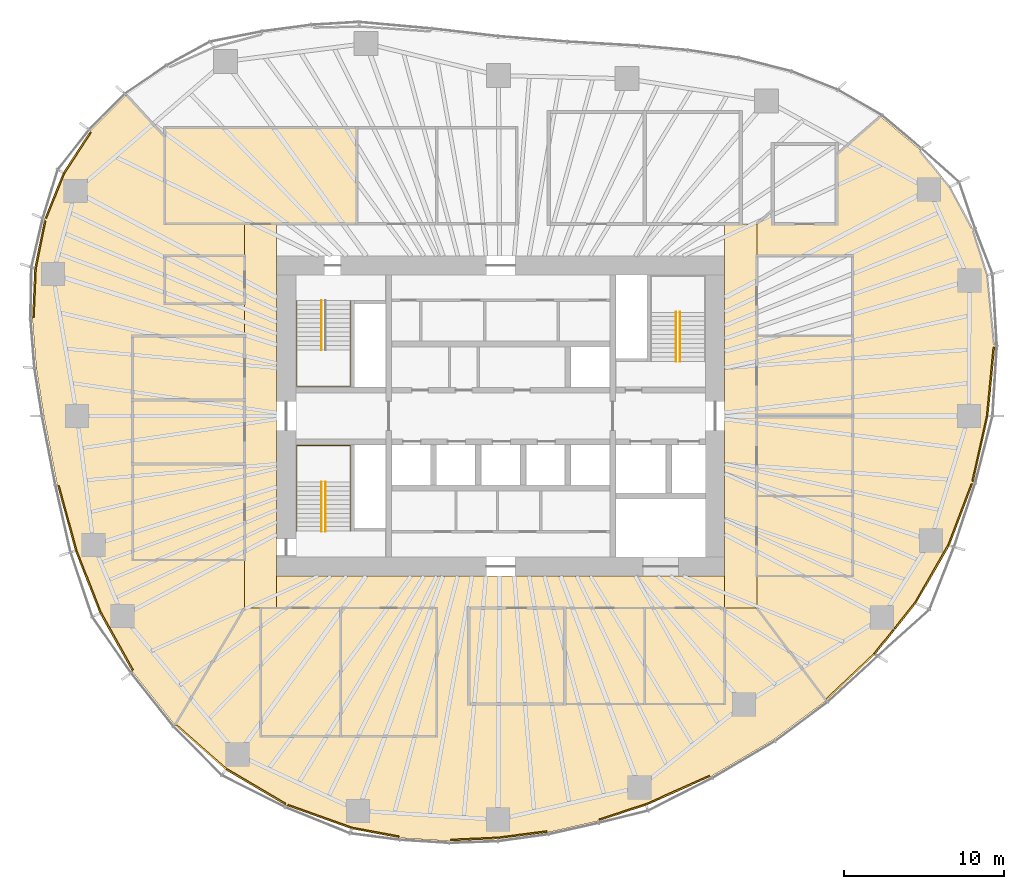
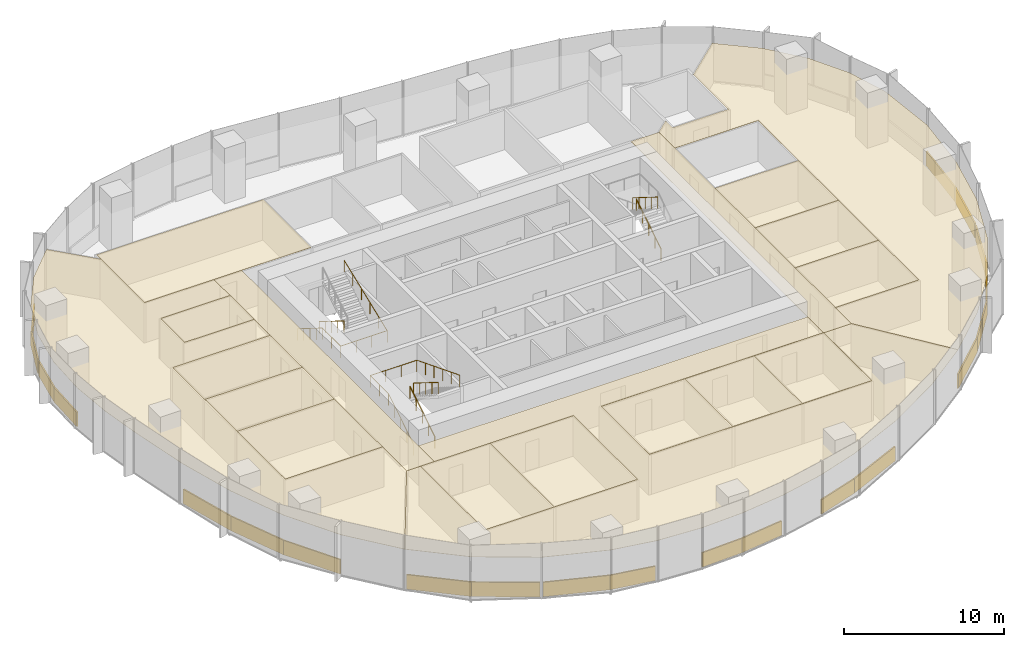
# One storey, part 17 of 18: 40 coverings, 7 railings.
"""IFC4 building model written with IfcOpenShell, lengths in metres."""

from ifc_helpers import new_model, si_unit, direction, frame, origin, origin_2d, place, context, subcontext, project, spatial, polyline, rectangle, circle, outline, extrude, material, layer, layer_set, type_object, element, save


model = new_model("IFC4")

# Units and contexts
model_context = context("Model", 3, precision=1e-05, world=origin(), true_north=direction((0.0, 1.0)))
body_context = subcontext(model_context, "Body", "Model", "MODEL_VIEW")
ifc_project = project(units=[si_unit("LENGTHUNIT", "METRE"), si_unit("AREAUNIT", "SQUARE_METRE"), si_unit("VOLUMEUNIT", "CUBIC_METRE"), si_unit("PLANEANGLEUNIT", "RADIAN"), si_unit("MASSUNIT", "GRAM", prefix="KILO")], contexts=[model_context])

# Site, building, storey
site_placement = place(None, origin())
site = spatial("IfcSite", under=ifc_project, at=site_placement, CompositionType="ELEMENT")
building_placement = place(site_placement, origin())
building = spatial("IfcBuilding", under=site, at=building_placement, Name="Ghaith Harvest Tower", CompositionType="ELEMENT")
storey_placement = place(building_placement, frame((0.0, 0.0, 126.0)))
storey = spatial("IfcBuildingStorey", under=building, at=storey_placement, Name="L26", CompositionType="ELEMENT", Elevation=126.0)

# Coverings
ifc_material_1 = material(Name="Mineral fibre ceiling tile", Category="gypsum")
ifc_layer_1 = layer(ifc_material_1, 0.02001953125)
ifc_layer_set_1 = layer_set([ifc_layer_1], Name="CEILING C1")
covering_type_1 = type_object("IfcCoveringType", Name="CEILING C1", PredefinedType="CEILING", material=ifc_layer_set_1)
covering_1_placement = place(storey_placement, frame((0.0, 0.0, 3.0)))
element("IfcCovering", 1, at=covering_1_placement, inside=storey, type_object=covering_type_1, Name="Ceiling L26-01", PredefinedType="CEILING", context=body_context, shape_type="SweptSolid", body=[
    extrude(outline(polyline([(-21.0, 12.0), (-9.0, 12.0), (-9.0, 18.0), (-21.0, 18.0), (-21.0, 12.0)])), origin(), (0.0, 0.0, 1.0), 0.02001953125),
])
covering_2_placement = place(storey_placement, frame((0.0, 0.0, 3.0)))
element("IfcCovering", 2, at=covering_2_placement, inside=storey, type_object=covering_type_1, Name="Ceiling L26-06", PredefinedType="CEILING", context=body_context, shape_type="SweptSolid", body=[
    extrude(outline(polyline([(16.0, -10.0), (22.0, -10.0), (22.0, -5.0), (16.0, -5.0), (16.0, -10.0)])), origin(), (0.0, 0.0, 1.0), 0.02001953125),
])
covering_3_placement = place(storey_placement, frame((0.0, 0.0, 3.0)))
element("IfcCovering", 3, at=covering_3_placement, inside=storey, type_object=covering_type_1, Name="Ceiling L26-07", PredefinedType="CEILING", context=body_context, shape_type="SweptSolid", body=[
    extrude(outline(polyline([(16.0, -5.0), (22.0, -5.0), (22.0, 0.0), (16.0, 0.0), (16.0, -5.0)])), origin(), (0.0, 0.0, 1.0), 0.02001953125),
])
covering_4_placement = place(storey_placement, frame((0.0, 0.0, 3.0)))
element("IfcCovering", 4, at=covering_4_placement, inside=storey, type_object=covering_type_1, Name="Ceiling L26-08", PredefinedType="CEILING", context=body_context, shape_type="SweptSolid", body=[
    extrude(outline(polyline([(16.0, 0.0), (22.0, 0.0), (22.0, 5.0), (16.0, 5.0), (16.0, 0.0)])), origin(), (0.0, 0.0, 1.0), 0.02001953125),
])
covering_5_placement = place(storey_placement, frame((0.0, 0.0, 3.0)))
element("IfcCovering", 5, at=covering_5_placement, inside=storey, type_object=covering_type_1, Name="Ceiling L26-10", PredefinedType="CEILING", context=body_context, shape_type="SweptSolid", body=[
    extrude(outline(polyline([(-15.0, -20.0), (-10.0, -20.0), (-10.0, -12.0), (-15.0, -12.0), (-15.0, -20.0)])), origin(), (0.0, 0.0, 1.0), 0.02001953125),
])
covering_6_placement = place(storey_placement, frame((0.0, 0.0, 3.0)))
element("IfcCovering", 6, at=covering_6_placement, inside=storey, type_object=covering_type_1, Name="Ceiling L26-11", PredefinedType="CEILING", context=body_context, shape_type="SweptSolid", body=[
    extrude(outline(polyline([(-10.0, -20.0), (-4.0, -20.0), (-4.0, -12.0), (-10.0, -12.0), (-10.0, -20.0)])), origin(), (0.0, 0.0, 1.0), 0.02001953125),
])
covering_7_placement = place(storey_placement, frame((0.0, 0.0, 3.0)))
element("IfcCovering", 7, at=covering_7_placement, inside=storey, type_object=covering_type_1, Name="Ceiling L26-12", PredefinedType="CEILING", context=body_context, shape_type="SweptSolid", body=[
    extrude(outline(polyline([(-2.0, -18.0), (4.0, -18.0), (4.0, -12.0), (-2.0, -12.0), (-2.0, -18.0)])), origin(), (0.0, 0.0, 1.0), 0.02001953125),
])
covering_8_placement = place(storey_placement, frame((0.0, 0.0, 3.0)))
element("IfcCovering", 8, at=covering_8_placement, inside=storey, type_object=covering_type_1, Name="Ceiling L26-13", PredefinedType="CEILING", context=body_context, shape_type="SweptSolid", body=[
    extrude(outline(polyline([(4.0, -18.0), (9.0, -18.0), (9.0, -12.0), (4.0, -12.0), (4.0, -18.0)])), origin(), (0.0, 0.0, 1.0), 0.02001953125),
])
covering_9_placement = place(storey_placement, frame((0.0, 0.0, 3.0)))
element("IfcCovering", 9, at=covering_9_placement, inside=storey, type_object=covering_type_1, Name="Ceiling L26-14", PredefinedType="CEILING", context=body_context, shape_type="SweptSolid", body=[
    extrude(outline(polyline([(9.0, -18.0), (14.0, -18.0), (14.0, -12.0), (9.0, -12.0), (9.0, -18.0)])), origin(), (0.0, 0.0, 1.0), 0.02001953125),
])
covering_10_placement = place(storey_placement, frame((0.0, 0.0, 3.0)))
element("IfcCovering", 10, at=covering_10_placement, inside=storey, type_object=covering_type_1, Name="Ceiling L26-15", PredefinedType="CEILING", context=body_context, shape_type="SweptSolid", body=[
    extrude(outline(polyline([(-23.0, -9.0), (-16.0, -9.0), (-16.0, -3.0), (-23.0, -3.0), (-23.0, -9.0)])), origin(), (0.0, 0.0, 1.0), 0.02001953125),
])
covering_11_placement = place(storey_placement, frame((0.0, 0.0, 3.0)))
element("IfcCovering", 11, at=covering_11_placement, inside=storey, type_object=covering_type_1, Name="Ceiling L26-16", PredefinedType="CEILING", context=body_context, shape_type="SweptSolid", body=[
    extrude(outline(polyline([(-23.0, -3.0), (-16.0, -3.0), (-16.0, 1.0), (-23.0, 1.0), (-23.0, -3.0)])), origin(), (0.0, 0.0, 1.0), 0.02001953125),
])
covering_12_placement = place(storey_placement, frame((0.0, 0.0, 3.0)))
element("IfcCovering", 12, at=covering_12_placement, inside=storey, type_object=covering_type_1, Name="Ceiling L26-17", PredefinedType="CEILING", context=body_context, shape_type="SweptSolid", body=[
    extrude(outline(polyline([(-23.0, 1.0), (-16.0, 1.0), (-16.0, 5.0), (-23.0, 5.0), (-23.0, 1.0)])), origin(), (0.0, 0.0, 1.0), 0.02001953125),
])
covering_13_placement = place(storey_placement, frame((0.0, 0.0, 3.0)))
element("IfcCovering", 13, at=covering_13_placement, inside=storey, type_object=covering_type_1, Name="Ceiling L26-19", PredefinedType="CEILING", context=body_context, shape_type="SweptSolid", body=[
    extrude(outline(polyline([(-21.0, 7.0), (-16.0, 7.0), (-16.0, 10.0), (-21.0, 10.0), (-21.0, 7.0)])), origin(), (0.0, 0.0, 1.0), 0.02001953125),
])
covering_14_placement = place(storey_placement, frame((0.0, 0.0, 3.0)))
element("IfcCovering", 14, at=covering_14_placement, inside=storey, type_object=covering_type_1, Name="Ceiling L26-C1", PredefinedType="CEILING", context=body_context, shape_type="SweptSolid", body=[
    extrude(outline(polyline([(14.0, -12.0), (14.0, 12.0), (16.0, 12.0), (16.0, -12.0), (14.0, -12.0)])), origin(), (0.0, 0.0, 1.0), 0.02001953125),
])
covering_15_placement = place(storey_placement, frame((0.0, 0.0, 3.0)))
element("IfcCovering", 15, at=covering_15_placement, inside=storey, type_object=covering_type_1, Name="Ceiling L26-C2", PredefinedType="CEILING", context=body_context, shape_type="SweptSolid", body=[
    extrude(outline(polyline([(-14.0, 12.0), (-14.0, -12.0), (-16.0, -12.0), (-16.0, 12.0), (-14.0, 12.0)])), origin(), (0.0, 0.0, 1.0), 0.02001953125),
])
covering_16_placement = place(storey_placement, frame((0.0, 0.0, 3.0)))
element("IfcCovering", 16, at=covering_16_placement, inside=storey, type_object=covering_type_1, Name="Ceiling L26-E1", PredefinedType="CEILING", context=body_context, shape_type="SweptSolid", body=[
    extrude(outline(polyline([(26.179443359375, 16.660888671875), (28.0888671875, 14.32568359375), (29.52294921875, 11.671875), (30.439208984375, 8.797607421875), (30.8798828125, 4.373046875), (30.458740234375, 0.0), (29.527099609375, -4.181396484375), (28.03125, -8.1015625), (25.94775390625, -11.714111328125), (23.400390625, -14.89208984375), (20.33935546875, -17.784912109375), (16.0, -12.0), (16.0, -10.0), (22.0, -10.0), (22.0, 10.0), (16.0, 10.0), (16.0, 12.0), (17.0, 12.869384765625), (17.0, 12.0), (21.0, 12.0), (21.0, 16.3466796875), (23.7275390625, 18.718017578125), (26.179443359375, 16.660888671875)])), origin(), (0.0, 0.0, 1.0), 0.02001953125),
])
covering_17_placement = place(storey_placement, frame((0.0, 0.0, 3.0)))
element("IfcCovering", 17, at=covering_17_placement, inside=storey, type_object=covering_type_1, Name="Ceiling L26-S1", PredefinedType="CEILING", context=body_context, shape_type="SweptSolid", body=[
    extrude(outline(polyline([(13.163818359375, -22.510498046875), (9.09423828125, -24.326904296875), (6.09228515625, -25.308837890625), (2.99609375, -26.010009765625), (-0.180908203125, -26.423583984375), (-3.204833984375, -26.556884765625), (-6.2666015625, -26.366455078125), (-9.317138671875, -25.79638671875), (-13.4052734375, -24.33740234375), (-17.1728515625, -22.11181640625), (-20.35400390625, -19.31396484375), (-16.0, -12.0), (-15.0, -12.0), (-15.0, -20.0), (-4.0, -20.0), (-4.0, -12.0), (-14.0, -12.0), (-14.0, -10.0), (14.0, -10.0), (14.0, -11.989990234375), (-2.010009765625, -11.989990234375), (-2.010009765625, -18.010009765625), (14.010009765625, -18.010009765625), (14.010009765625, -12.0), (16.0, -12.0), (20.33935546875, -17.784912109375), (17.054443359375, -20.22412109375), (13.163818359375, -22.510498046875)])), origin(), (0.0, 0.0, 1.0), 0.02001953125),
])
covering_18_placement = place(storey_placement, frame((0.0, 0.0, 3.0)))
element("IfcCovering", 18, at=covering_18_placement, inside=storey, type_object=covering_type_1, Name="Ceiling L26-W1", PredefinedType="CEILING", context=body_context, shape_type="SweptSolid", body=[
    extrude(outline(polyline([(-28.541259765625, 0.0), (-29.01171875, 2.978271484375), (-29.260498046875, 6.07177734375), (-29.12646484375, 9.230712890625), (-28.506591796875, 12.29638671875), (-27.33837890625, 15.204833984375), (-25.61962890625, 17.826416015625), (-23.398193359375, 20.06103515625), (-21.0, 17.447998046875), (-21.0, 12.0), (-16.0, 12.0), (-16.0, 10.0), (-21.0, 10.0), (-21.0, 7.0), (-16.0, 7.0), (-16.0, 5.0), (-23.0, 5.0), (-23.0, -9.0), (-16.0, -9.0), (-16.0, -12.0), (-20.35400390625, -19.31396484375), (-22.99169921875, -15.997802734375), (-25.046875, -12.32861328125), (-26.580078125, -8.423583984375), (-27.70947265625, -4.285888671875), (-28.541259765625, 0.0)])), origin(), (0.0, 0.0, 1.0), 0.02001953125),
])

# Railings
ifc_material_2 = material(Name="Steel, black powder-coated", Category="steel")
railing_type = type_object("IfcRailingType", Name="HANDRAIL HR1", PredefinedType="HANDRAIL", material=ifc_material_2)
railing_1_placement = place(storey_placement, frame((-11.199951171875, 7.199951171875, 0.175048828125)))
element("IfcRailing", 19, at=railing_1_placement, inside=storey, type_object=railing_type, Name="Handrail HR1 stair ST1 L26 flight 1 inner", PredefinedType="HANDRAIL", context=body_context, shape_type="SweptSolid", body=[
    extrude(circle(Radius=0.02392578125, at=origin_2d()), frame((0.0, 0.0, 0.8759765625), z_axis=(0.0, -0.847979421464, 0.530029150871), x_axis=(1.0, 0.0, 0.0)), (0.0, 0.0, 1.0), 3.632080078125),
    extrude(circle(Radius=0.02099609375, at=origin_2d()), origin(), (0.0, 0.0, 1.0), 0.851806640625),
    extrude(circle(Radius=0.02099609375, at=origin_2d()), frame((0.0, -0.77001953125, 0.481201171875)), (0.0, 0.0, 1.0), 0.851806640625),
    extrude(circle(Radius=0.02099609375, at=origin_2d()), frame((0.0, -1.5400390625, 0.96240234375)), (0.0, 0.0, 1.0), 0.851806640625),
    extrude(circle(Radius=0.02099609375, at=origin_2d()), frame((0.0, -2.309814453125, 1.44384765625)), (0.0, 0.0, 1.0), 0.851806640625),
    extrude(circle(Radius=0.02099609375, at=origin_2d()), frame((0.0, -3.079833984375, 1.925048828125)), (0.0, 0.0, 1.0), 0.851806640625),
])
railing_2_placement = place(storey_placement, frame((-12.75, 7.199951171875, 0.175048828125)))
element("IfcRailing", 20, at=railing_2_placement, inside=storey, type_object=railing_type, Name="Handrail HR1 stair ST1 L26 wall side", PredefinedType="HANDRAIL", context=body_context, shape_type="SweptSolid", body=[
    extrude(circle(Radius=0.02392578125, at=origin_2d()), frame((0.0, 0.0, 0.8759765625), z_axis=(0.0, -0.847979421464, 0.530029150871), x_axis=(1.0, 0.0, 0.0)), (0.0, 0.0, 1.0), 3.632080078125),
    extrude(circle(Radius=0.02392578125, at=origin_2d()), frame((0.0, -3.079833984375, 2.80078125), z_axis=(0.0, -1.0, 0.0), x_axis=(1.0, 0.0, 0.0)), (0.0, 0.0, 1.0), 2.27001953125),
    extrude(circle(Radius=0.02392578125, at=origin_2d()), frame((0.0, -5.349853515625, 2.80078125), z_axis=(1.0, 0.0, 0.0), x_axis=(0.0, 1.0, 0.0)), (0.0, 0.0, 1.0), 3.35009765625),
    extrude(circle(Radius=0.02392578125, at=origin_2d()), frame((3.35009765625, -5.349853515625, 2.80078125), z_axis=(0.0, 0.930862461605, 0.365369781968), x_axis=(-1.0, 0.0, 0.0)), (0.0, 0.0, 1.0), 5.747314453125),
    extrude(circle(Radius=0.02099609375, at=origin_2d()), origin(), (0.0, 0.0, 1.0), 0.851806640625),
    extrude(circle(Radius=0.02099609375, at=origin_2d()), frame((0.0, -0.77001953125, 0.481201171875)), (0.0, 0.0, 1.0), 0.851806640625),
    extrude(circle(Radius=0.02099609375, at=origin_2d()), frame((0.0, -1.5400390625, 0.96240234375)), (0.0, 0.0, 1.0), 0.851806640625),
    extrude(circle(Radius=0.02099609375, at=origin_2d()), frame((0.0, -2.309814453125, 1.44384765625)), (0.0, 0.0, 1.0), 0.851806640625),
    extrude(circle(Radius=0.02099609375, at=origin_2d()), frame((0.0, -3.079833984375, 1.925048828125)), (0.0, 0.0, 1.0), 0.851806640625),
    extrude(circle(Radius=0.02099609375, at=origin_2d()), frame((0.0, -4.21484375, 1.925048828125)), (0.0, 0.0, 1.0), 0.851806640625),
    extrude(circle(Radius=0.02099609375, at=origin_2d()), frame((0.0, -5.349853515625, 1.925048828125)), (0.0, 0.0, 1.0), 0.851806640625),
    extrude(circle(Radius=0.02099609375, at=origin_2d()), frame((1.11669921875, -5.349853515625, 1.925048828125)), (0.0, 0.0, 1.0), 0.851806640625),
    extrude(circle(Radius=0.02099609375, at=origin_2d()), frame((2.2333984375, -5.349853515625, 1.925048828125)), (0.0, 0.0, 1.0), 0.851806640625),
    extrude(circle(Radius=0.02099609375, at=origin_2d()), frame((3.35009765625, -5.349853515625, 1.925048828125)), (0.0, 0.0, 1.0), 0.851806640625),
    extrude(circle(Radius=0.02099609375, at=origin_2d()), frame((3.35009765625, -4.27978515625, 2.344970703125)), (0.0, 0.0, 1.0), 0.851806640625),
    extrude(circle(Radius=0.02099609375, at=origin_2d()), frame((3.35009765625, -3.2099609375, 2.764892578125)), (0.0, 0.0, 1.0), 0.851806640625),
    extrude(circle(Radius=0.02099609375, at=origin_2d()), frame((3.35009765625, -2.139892578125, 3.18505859375)), (0.0, 0.0, 1.0), 0.851806640625),
    extrude(circle(Radius=0.02099609375, at=origin_2d()), frame((3.35009765625, -1.070068359375, 3.60498046875)), (0.0, 0.0, 1.0), 0.851806640625),
    extrude(circle(Radius=0.02099609375, at=origin_2d()), frame((3.35009765625, 0.0, 4.02490234375)), (0.0, 0.0, 1.0), 0.851806640625),
])
railing_3_placement = place(storey_placement, frame((-11.199951171875, -7.199951171875, 0.175048828125)))
element("IfcRailing", 21, at=railing_3_placement, inside=storey, type_object=railing_type, Name="Handrail HR1 stair ST3 L26 flight 1 inner", PredefinedType="HANDRAIL", context=body_context, shape_type="SweptSolid", body=[
    extrude(circle(Radius=0.02392578125, at=origin_2d()), frame((0.0, 0.0, 0.8759765625), z_axis=(0.0, 0.847979421464, 0.530029150871), x_axis=(-1.0, 0.0, 0.0)), (0.0, 0.0, 1.0), 3.632080078125),
    extrude(circle(Radius=0.02099609375, at=origin_2d()), origin(), (0.0, 0.0, 1.0), 0.851806640625),
    extrude(circle(Radius=0.02099609375, at=origin_2d()), frame((0.0, 0.77001953125, 0.481201171875)), (0.0, 0.0, 1.0), 0.851806640625),
    extrude(circle(Radius=0.02099609375, at=origin_2d()), frame((0.0, 1.5400390625, 0.96240234375)), (0.0, 0.0, 1.0), 0.851806640625),
    extrude(circle(Radius=0.02099609375, at=origin_2d()), frame((0.0, 2.309814453125, 1.44384765625)), (0.0, 0.0, 1.0), 0.851806640625),
    extrude(circle(Radius=0.02099609375, at=origin_2d()), frame((0.0, 3.079833984375, 1.925048828125)), (0.0, 0.0, 1.0), 0.851806640625),
])
railing_4_placement = place(storey_placement, frame((-10.949951171875, -4.1201171875, 2.27490234375)))
element("IfcRailing", 22, at=railing_4_placement, inside=storey, type_object=railing_type, Name="Handrail HR1 stair ST3 L26 flight 2 inner", PredefinedType="HANDRAIL", context=body_context, shape_type="SweptSolid", body=[
    extrude(circle(Radius=0.02392578125, at=origin_2d()), frame((0.0, 0.0, 0.8759765625), z_axis=(0.0, -0.847979421464, 0.530029150871), x_axis=(1.0, 0.0, 0.0)), (0.0, 0.0, 1.0), 3.632080078125),
    extrude(circle(Radius=0.02099609375, at=origin_2d()), origin(), (0.0, 0.0, 1.0), 0.851806640625),
    extrude(circle(Radius=0.02099609375, at=origin_2d()), frame((0.0, -0.77001953125, 0.481201171875)), (0.0, 0.0, 1.0), 0.851806640625),
    extrude(circle(Radius=0.02099609375, at=origin_2d()), frame((0.0, -1.5400390625, 0.96240234375)), (0.0, 0.0, 1.0), 0.851806640625),
    extrude(circle(Radius=0.02099609375, at=origin_2d()), frame((0.0, -2.309814453125, 1.44384765625)), (0.0, 0.0, 1.0), 0.851806640625),
    extrude(circle(Radius=0.02099609375, at=origin_2d()), frame((0.0, -3.079833984375, 1.925048828125)), (0.0, 0.0, 1.0), 0.851806640625),
])
railing_5_placement = place(storey_placement, frame((-12.75, -7.199951171875, 0.175048828125)))
element("IfcRailing", 23, at=railing_5_placement, inside=storey, type_object=railing_type, Name="Handrail HR1 stair ST3 L26 wall side", PredefinedType="HANDRAIL", context=body_context, shape_type="SweptSolid", body=[
    extrude(circle(Radius=0.02392578125, at=origin_2d()), frame((0.0, 0.0, 0.8759765625), z_axis=(0.0, 0.847979421464, 0.530029150871), x_axis=(-1.0, 0.0, 0.0)), (0.0, 0.0, 1.0), 3.632080078125),
    extrude(circle(Radius=0.02392578125, at=origin_2d()), frame((0.0, 3.079833984375, 2.80078125), z_axis=(0.0, 1.0, 0.0), x_axis=(-1.0, 0.0, 0.0)), (0.0, 0.0, 1.0), 2.27001953125),
    extrude(circle(Radius=0.02392578125, at=origin_2d()), frame((0.0, 5.349853515625, 2.80078125), z_axis=(1.0, 0.0, 0.0), x_axis=(0.0, 1.0, 0.0)), (0.0, 0.0, 1.0), 3.35009765625),
    extrude(circle(Radius=0.02392578125, at=origin_2d()), frame((3.35009765625, 5.349853515625, 2.80078125), z_axis=(0.0, -0.930862461605, 0.365369781968), x_axis=(1.0, 0.0, 0.0)), (0.0, 0.0, 1.0), 5.747314453125),
    extrude(circle(Radius=0.02099609375, at=origin_2d()), origin(), (0.0, 0.0, 1.0), 0.851806640625),
    extrude(circle(Radius=0.02099609375, at=origin_2d()), frame((0.0, 0.77001953125, 0.481201171875)), (0.0, 0.0, 1.0), 0.851806640625),
    extrude(circle(Radius=0.02099609375, at=origin_2d()), frame((0.0, 1.5400390625, 0.96240234375)), (0.0, 0.0, 1.0), 0.851806640625),
    extrude(circle(Radius=0.02099609375, at=origin_2d()), frame((0.0, 2.309814453125, 1.44384765625)), (0.0, 0.0, 1.0), 0.851806640625),
    extrude(circle(Radius=0.02099609375, at=origin_2d()), frame((0.0, 3.079833984375, 1.925048828125)), (0.0, 0.0, 1.0), 0.851806640625),
    extrude(circle(Radius=0.02099609375, at=origin_2d()), frame((0.0, 4.21484375, 1.925048828125)), (0.0, 0.0, 1.0), 0.851806640625),
    extrude(circle(Radius=0.02099609375, at=origin_2d()), frame((0.0, 5.349853515625, 1.925048828125)), (0.0, 0.0, 1.0), 0.851806640625),
    extrude(circle(Radius=0.02099609375, at=origin_2d()), frame((1.11669921875, 5.349853515625, 1.925048828125)), (0.0, 0.0, 1.0), 0.851806640625),
    extrude(circle(Radius=0.02099609375, at=origin_2d()), frame((2.2333984375, 5.349853515625, 1.925048828125)), (0.0, 0.0, 1.0), 0.851806640625),
    extrude(circle(Radius=0.02099609375, at=origin_2d()), frame((3.35009765625, 5.349853515625, 1.925048828125)), (0.0, 0.0, 1.0), 0.851806640625),
    extrude(circle(Radius=0.02099609375, at=origin_2d()), frame((3.35009765625, 4.27978515625, 2.344970703125)), (0.0, 0.0, 1.0), 0.851806640625),
    extrude(circle(Radius=0.02099609375, at=origin_2d()), frame((3.35009765625, 3.2099609375, 2.764892578125)), (0.0, 0.0, 1.0), 0.851806640625),
    extrude(circle(Radius=0.02099609375, at=origin_2d()), frame((3.35009765625, 2.139892578125, 3.18505859375)), (0.0, 0.0, 1.0), 0.851806640625),
    extrude(circle(Radius=0.02099609375, at=origin_2d()), frame((3.35009765625, 1.070068359375, 3.60498046875)), (0.0, 0.0, 1.0), 0.851806640625),
    extrude(circle(Radius=0.02099609375, at=origin_2d()), frame((3.35009765625, 0.0, 4.02490234375)), (0.0, 0.0, 1.0), 0.851806640625),
])
railing_6_placement = place(storey_placement, frame((11.199951171875, 3.39990234375, 0.175048828125)))
element("IfcRailing", 24, at=railing_6_placement, inside=storey, type_object=railing_type, Name="Handrail HR1 stair ST2 L26 flight 1 inner", PredefinedType="HANDRAIL", context=body_context, shape_type="SweptSolid", body=[
    extrude(circle(Radius=0.02392578125, at=origin_2d()), frame((0.0, 0.0, 0.8759765625), z_axis=(0.0, 0.847998304005, 0.529998940003), x_axis=(-1.0, 0.0, 0.0)), (0.0, 0.0, 1.0), 3.632080078125),
    extrude(circle(Radius=0.02099609375, at=origin_2d()), origin(), (0.0, 0.0, 1.0), 0.851806640625),
    extrude(circle(Radius=0.02099609375, at=origin_2d()), frame((0.0, 0.77001953125, 0.481201171875)), (0.0, 0.0, 1.0), 0.851806640625),
    extrude(circle(Radius=0.02099609375, at=origin_2d()), frame((0.0, 1.5400390625, 0.96240234375)), (0.0, 0.0, 1.0), 0.851806640625),
    extrude(circle(Radius=0.02099609375, at=origin_2d()), frame((0.0, 2.31005859375, 1.44384765625)), (0.0, 0.0, 1.0), 0.851806640625),
    extrude(circle(Radius=0.02099609375, at=origin_2d()), frame((0.0, 3.080078125, 1.925048828125)), (0.0, 0.0, 1.0), 0.851806640625),
])
railing_7_placement = place(storey_placement, frame((10.949951171875, 6.47998046875, 2.27490234375)))
element("IfcRailing", 25, at=railing_7_placement, inside=storey, type_object=railing_type, Name="Handrail HR1 stair ST2 L26 flight 2 inner", PredefinedType="HANDRAIL", context=body_context, shape_type="SweptSolid", body=[
    extrude(circle(Radius=0.02392578125, at=origin_2d()), frame((0.0, 0.0, 0.8759765625), z_axis=(0.0, -0.847998304005, 0.529998940003), x_axis=(1.0, 0.0, 0.0)), (0.0, 0.0, 1.0), 3.632080078125),
    extrude(circle(Radius=0.02099609375, at=origin_2d()), origin(), (0.0, 0.0, 1.0), 0.851806640625),
    extrude(circle(Radius=0.02099609375, at=origin_2d()), frame((0.0, -0.77001953125, 0.481201171875)), (0.0, 0.0, 1.0), 0.851806640625),
    extrude(circle(Radius=0.02099609375, at=origin_2d()), frame((0.0, -1.5400390625, 0.96240234375)), (0.0, 0.0, 1.0), 0.851806640625),
    extrude(circle(Radius=0.02099609375, at=origin_2d()), frame((0.0, -2.31005859375, 1.44384765625)), (0.0, 0.0, 1.0), 0.851806640625),
    extrude(circle(Radius=0.02099609375, at=origin_2d()), frame((0.0, -3.080078125, 1.925048828125)), (0.0, 0.0, 1.0), 0.851806640625),
])

# Coverings
ifc_material_3 = material(Name="Insulated aluminium spandrel panel on steel framing", Category="steel")
ifc_layer_2 = layer(ifc_material_3, 0.10009765625)
ifc_layer_set_2 = layer_set([ifc_layer_2], Name="SLAB EDGE UPSTAND 1100x100")
covering_type_2 = type_object("IfcCoveringType", Name="SLAB EDGE UPSTAND 1100x100", PredefinedType="CLADDING", material=ifc_layer_set_2)
covering_19_placement = place(storey_placement, frame((30.61474609375, 2.1416015625, 0.0), z_axis=(0.0, 0.0, 1.0), x_axis=(0.095861332319, 0.99539469808, 0.0)))
element("IfcCovering", 26, at=covering_19_placement, inside=storey, type_object=covering_type_2, Name="Slab edge upstand 1 bay 01 L26", PredefinedType="CLADDING", context=body_context, shape_type="SweptSolid", body=[
    extrude(rectangle(XDim=4.293212890625, YDim=0.10009765625, at=origin_2d()), origin(), (0.0, 0.0, 1.0), 1.10009765625),
])
covering_20_placement = place(storey_placement, frame((-26.464599609375, 16.4462890625, 0.0), z_axis=(0.0, 0.0, 1.0), x_axis=(-0.548312211554, -0.836273710373, 0.0)))
element("IfcCovering", 27, at=covering_20_placement, inside=storey, type_object=covering_type_2, Name="Slab edge upstand 1 bay 09 L26", PredefinedType="CLADDING", context=body_context, shape_type="SweptSolid", body=[
    extrude(rectangle(XDim=3.03466796875, YDim=0.10009765625, at=origin_2d()), origin(), (0.0, 0.0, 1.0), 1.10009765625),
])
covering_21_placement = place(storey_placement, frame((-27.857421875, 13.7783203125, 0.0), z_axis=(0.0, 0.0, 1.0), x_axis=(-0.372732078847, -0.927939005215, 0.0)))
element("IfcCovering", 28, at=covering_21_placement, inside=storey, type_object=covering_type_2, Name="Slab edge upstand 2 bay 09 L26", PredefinedType="CLADDING", context=body_context, shape_type="SweptSolid", body=[
    extrude(rectangle(XDim=3.034423828125, YDim=0.10009765625, at=origin_2d()), origin(), (0.0, 0.0, 1.0), 1.10009765625),
])
covering_22_placement = place(storey_placement, frame((-28.777587890625, 10.70458984375, 0.0), z_axis=(0.0, 0.0, 1.0), x_axis=(-0.198182542943, -0.980165128778, 0.0)))
element("IfcCovering", 29, at=covering_22_placement, inside=storey, type_object=covering_type_2, Name="Slab edge upstand 3 bay 09 L26", PredefinedType="CLADDING", context=body_context, shape_type="SweptSolid", body=[
    extrude(rectangle(XDim=3.027587890625, YDim=0.10009765625, at=origin_2d()), origin(), (0.0, 0.0, 1.0), 1.10009765625),
])
covering_23_placement = place(storey_placement, frame((-29.141357421875, 7.69921875, 0.0), z_axis=(0.0, 0.0, 1.0), x_axis=(-0.042372799788, -0.9991018696, 0.0)))
element("IfcCovering", 30, at=covering_23_placement, inside=storey, type_object=covering_type_2, Name="Slab edge upstand 1 bay 10 L26", PredefinedType="CLADDING", context=body_context, shape_type="SweptSolid", body=[
    extrude(rectangle(XDim=3.061767578125, YDim=0.10009765625, at=origin_2d()), origin(), (0.0, 0.0, 1.0), 1.10009765625),
])
covering_24_placement = place(storey_placement, frame((-27.08349609375, -6.389892578125, 0.0), z_axis=(0.0, 0.0, 1.0), x_axis=(0.263287721652, -0.964717355305, 0.0)))
element("IfcCovering", 31, at=covering_24_placement, inside=storey, type_object=covering_type_2, Name="Slab edge upstand 2 bay 11 L26", PredefinedType="CLADDING", context=body_context, shape_type="SweptSolid", body=[
    extrude(rectangle(XDim=4.189208984375, YDim=0.10009765625, at=origin_2d()), origin(), (0.0, 0.0, 1.0), 1.10009765625),
])
covering_25_placement = place(storey_placement, frame((-25.76708984375, -10.35791015625, 0.0), z_axis=(0.0, 0.0, 1.0), x_axis=(0.365514970008, -0.930805461254, 0.0)))
element("IfcCovering", 32, at=covering_25_placement, inside=storey, type_object=covering_type_2, Name="Slab edge upstand 1 bay 12 L26", PredefinedType="CLADDING", context=body_context, shape_type="SweptSolid", body=[
    extrude(rectangle(XDim=4.195068359375, YDim=0.10009765625, at=origin_2d()), origin(), (0.0, 0.0, 1.0), 1.10009765625),
])
covering_26_placement = place(storey_placement, frame((-24.0, -14.09521484375, 0.0), z_axis=(0.0, 0.0, 1.0), x_axis=(0.488683758288, -0.872460993045, 0.0)))
element("IfcCovering", 33, at=covering_26_placement, inside=storey, type_object=covering_type_2, Name="Slab edge upstand 2 bay 12 L26", PredefinedType="CLADDING", context=body_context, shape_type="SweptSolid", body=[
    extrude(rectangle(XDim=4.10546875, YDim=0.10009765625, at=origin_2d()), origin(), (0.0, 0.0, 1.0), 1.10009765625),
])
covering_27_placement = place(storey_placement, frame((-18.69287109375, -20.70849609375, 0.0), z_axis=(0.0, 0.0, 1.0), x_axis=(0.75089221411, -0.660424774511, 0.0)))
element("IfcCovering", 34, at=covering_27_placement, inside=storey, type_object=covering_type_2, Name="Slab edge upstand 2 bay 13 L26", PredefinedType="CLADDING", context=body_context, shape_type="SweptSolid", body=[
    extrude(rectangle(XDim=4.136474609375, YDim=0.10009765625, at=origin_2d()), origin(), (0.0, 0.0, 1.0), 1.10009765625),
])
covering_28_placement = place(storey_placement, frame((-15.306640625, -23.15625, 0.0), z_axis=(0.0, 0.0, 1.0), x_axis=(0.861020519069, -0.508570217121, 0.0)))
element("IfcCovering", 35, at=covering_28_placement, inside=storey, type_object=covering_type_2, Name="Slab edge upstand 1 bay 14 L26", PredefinedType="CLADDING", context=body_context, shape_type="SweptSolid", body=[
    extrude(rectangle(XDim=4.27587890625, YDim=0.10009765625, at=origin_2d()), origin(), (0.0, 0.0, 1.0), 1.10009765625),
])
covering_29_placement = place(storey_placement, frame((-11.29736328125, -25.03662109375, 0.0), z_axis=(0.0, 0.0, 1.0), x_axis=(0.941807015649, -0.336154049915, 0.0)))
element("IfcCovering", 36, at=covering_29_placement, inside=storey, type_object=covering_type_2, Name="Slab edge upstand 2 bay 14 L26", PredefinedType="CLADDING", context=body_context, shape_type="SweptSolid", body=[
    extrude(rectangle(XDim=4.24072265625, YDim=0.10009765625, at=origin_2d()), origin(), (0.0, 0.0, 1.0), 1.10009765625),
])
covering_30_placement = place(storey_placement, frame((-7.831787109375, -26.023193359375, 0.0), z_axis=(0.0, 0.0, 1.0), x_axis=(0.982990071164, -0.183658705191, 0.0)))
element("IfcCovering", 37, at=covering_30_placement, inside=storey, type_object=covering_type_2, Name="Slab edge upstand 1 bay 15 L26", PredefinedType="CLADDING", context=body_context, shape_type="SweptSolid", body=[
    extrude(rectangle(XDim=3.003173828125, YDim=0.10009765625, at=origin_2d()), origin(), (0.0, 0.0, 1.0), 1.10009765625),
])
covering_31_placement = place(storey_placement, frame((-1.64501953125, -26.43798828125, 0.0), z_axis=(0.0, 0.0, 1.0), x_axis=(0.999029547734, 0.044045008275, 0.0)))
element("IfcCovering", 38, at=covering_31_placement, inside=storey, type_object=covering_type_2, Name="Slab edge upstand 3 bay 15 L26", PredefinedType="CLADDING", context=body_context, shape_type="SweptSolid", body=[
    extrude(rectangle(XDim=2.927001953125, YDim=0.10009765625, at=origin_2d()), origin(), (0.0, 0.0, 1.0), 1.10009765625),
])
covering_32_placement = place(storey_placement, frame((1.3515625, -26.173583984375, 0.0), z_axis=(0.0, 0.0, 1.0), x_axis=(0.991633707242, 0.129083657611, 0.0)))
element("IfcCovering", 39, at=covering_32_placement, inside=storey, type_object=covering_type_2, Name="Slab edge upstand 1 bay 16 L26", PredefinedType="CLADDING", context=body_context, shape_type="SweptSolid", body=[
    extrude(rectangle(XDim=3.103759765625, YDim=0.10009765625, at=origin_2d()), origin(), (0.0, 0.0, 1.0), 1.10009765625),
])
covering_33_placement = place(storey_placement, frame((7.625244140625, -24.754638671875, 0.0), z_axis=(0.0, 0.0, 1.0), x_axis=(0.950441392134, 0.310903779518, 0.0)))
element("IfcCovering", 40, at=covering_33_placement, inside=storey, type_object=covering_type_2, Name="Slab edge upstand 3 bay 16 L26", PredefinedType="CLADDING", context=body_context, shape_type="SweptSolid", body=[
    extrude(rectangle(XDim=3.05859375, YDim=0.10009765625, at=origin_2d()), origin(), (0.0, 0.0, 1.0), 1.10009765625),
])
covering_34_placement = place(storey_placement, frame((11.06298828125, -23.393310546875, 0.0), z_axis=(0.0, 0.0, 1.0), x_axis=(0.913170343632, 0.407578119519, 0.0)))
element("IfcCovering", 41, at=covering_34_placement, inside=storey, type_object=covering_type_2, Name="Slab edge upstand 1 bay 17 L26", PredefinedType="CLADDING", context=body_context, shape_type="SweptSolid", body=[
    extrude(rectangle(XDim=4.356689453125, YDim=0.10009765625, at=origin_2d()), origin(), (0.0, 0.0, 1.0), 1.10009765625),
])
covering_35_placement = place(storey_placement, frame((21.871826171875, -16.267822265625, 0.0), z_axis=(0.0, 0.0, 1.0), x_axis=(0.72680962062, 0.686838973395, 0.0)))
element("IfcCovering", 42, at=covering_35_placement, inside=storey, type_object=covering_type_2, Name="Slab edge upstand 2 bay 18 L26", PredefinedType="CLADDING", context=body_context, shape_type="SweptSolid", body=[
    extrude(rectangle(XDim=4.111572265625, YDim=0.10009765625, at=origin_2d()), origin(), (0.0, 0.0, 1.0), 1.10009765625),
])
covering_36_placement = place(storey_placement, frame((23.95263671875, -14.123046875, 0.0), z_axis=(0.0, 0.0, 1.0), x_axis=(0.625468377377, 0.780249517079, 0.0)))
element("IfcCovering", 43, at=covering_36_placement, inside=storey, type_object=covering_type_2, Name="Slab edge upstand 1 bay 19 L26", PredefinedType="CLADDING", context=body_context, shape_type="SweptSolid", body=[
    extrude(rectangle(XDim=1.89111328125, YDim=0.10009765625, at=origin_2d()), origin(), (0.0, 0.0, 1.0), 1.10009765625),
])
covering_37_placement = place(storey_placement, frame((25.266845703125, -12.483642578125, 0.0), z_axis=(0.0, 0.0, 1.0), x_axis=(0.625468377377, 0.780249517079, 0.0)))
element("IfcCovering", 44, at=covering_37_placement, inside=storey, type_object=covering_type_2, Name="Slab edge upstand 1 bay 19 L26", PredefinedType="CLADDING", context=body_context, shape_type="SweptSolid", body=[
    extrude(rectangle(XDim=2.052490234375, YDim=0.10009765625, at=origin_2d()), origin(), (0.0, 0.0, 1.0), 1.10009765625),
])
covering_38_placement = place(storey_placement, frame((26.9462890625, -9.8828125, 0.0), z_axis=(0.0, 0.0, 1.0), x_axis=(0.499596169173, 0.866258430117, 0.0)))
element("IfcCovering", 45, at=covering_38_placement, inside=storey, type_object=covering_type_2, Name="Slab edge upstand 2 bay 19 L26", PredefinedType="CLADDING", context=body_context, shape_type="SweptSolid", body=[
    extrude(rectangle(XDim=4.170166015625, YDim=0.10009765625, at=origin_2d()), origin(), (0.0, 0.0, 1.0), 1.10009765625),
])
covering_39_placement = place(storey_placement, frame((28.714599609375, -6.17041015625, 0.0), z_axis=(0.0, 0.0, 1.0), x_axis=(0.356503850378, 0.934293853488, 0.0)))
element("IfcCovering", 46, at=covering_39_placement, inside=storey, type_object=covering_type_2, Name="Slab edge upstand 1 bay 20 L26", PredefinedType="CLADDING", context=body_context, shape_type="SweptSolid", body=[
    extrude(rectangle(XDim=4.095947265625, YDim=0.10009765625, at=origin_2d()), origin(), (0.0, 0.0, 1.0), 1.10009765625),
])
covering_40_placement = place(storey_placement, frame((29.955078125, -2.031005859375, 0.0), z_axis=(0.0, 0.0, 1.0), x_axis=(0.217466241983, 0.976067842723, 0.0)))
element("IfcCovering", 47, at=covering_40_placement, inside=storey, type_object=covering_type_2, Name="Slab edge upstand 2 bay 20 L26", PredefinedType="CLADDING", context=body_context, shape_type="SweptSolid", body=[
    extrude(rectangle(XDim=4.183837890625, YDim=0.10009765625, at=origin_2d()), origin(), (0.0, 0.0, 1.0), 1.10009765625),
])

save(model, "model.ifc")
